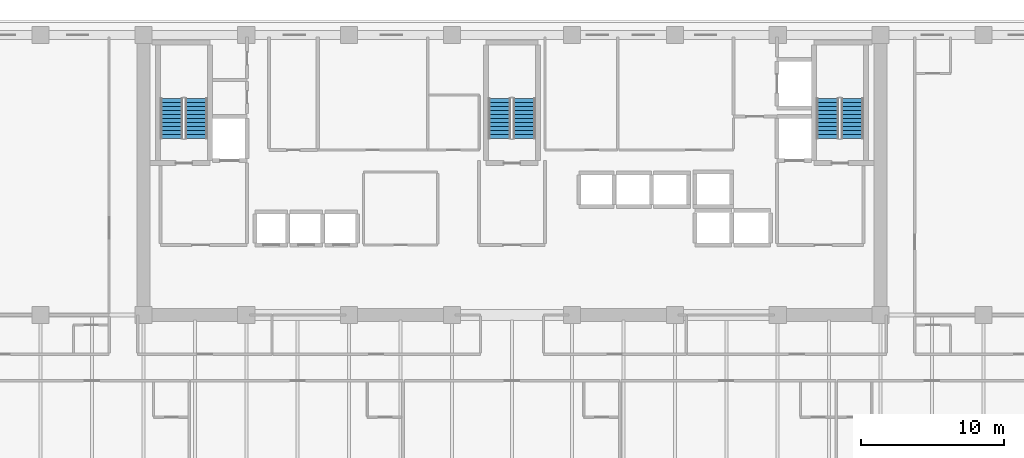
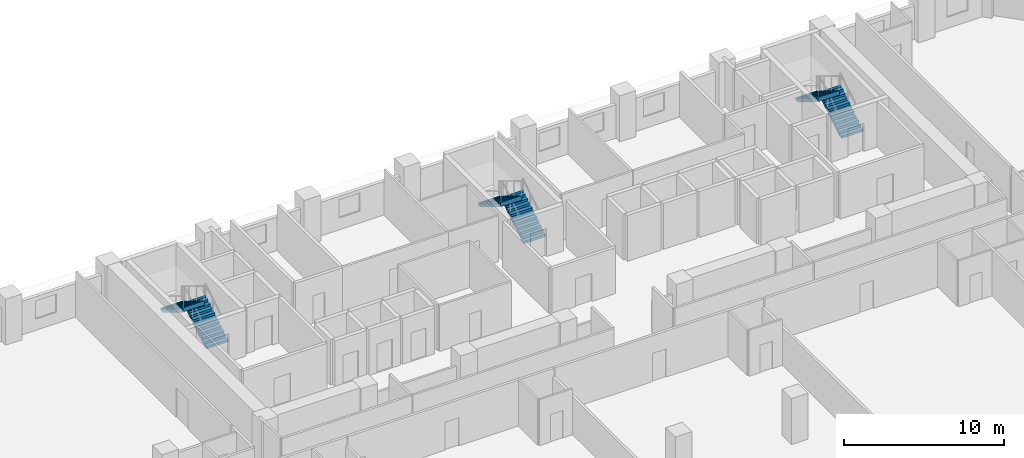
# One storey, part 10 of 14: 6 stair flights, 3 elements without a shape of their own.
"""IFC4 building model written with IfcOpenShell, lengths in metres."""

from ifc_helpers import new_model, si_unit, direction, frame, origin, place, context, subcontext, project, spatial, polyline, outline, extrude, material, type_object, element, aggregate, save


model = new_model("IFC4")

# Units and contexts
model_context = context("Model", 3, precision=1e-05, world=origin(), true_north=direction((0.0, 1.0)))
body_context = subcontext(model_context, "Body", "Model", "MODEL_VIEW")
ifc_project = project(units=[si_unit("LENGTHUNIT", "METRE"), si_unit("AREAUNIT", "SQUARE_METRE"), si_unit("VOLUMEUNIT", "CUBIC_METRE"), si_unit("PLANEANGLEUNIT", "RADIAN"), si_unit("MASSUNIT", "GRAM", prefix="KILO")], contexts=[model_context])

# Site, building, storey
site_placement = place(None, origin())
site = spatial("IfcSite", under=ifc_project, at=site_placement, CompositionType="ELEMENT")
building_placement = place(site_placement, origin())
building = spatial("IfcBuilding", under=site, at=building_placement, Name="Kaelvorn Grand Hotel", CompositionType="ELEMENT")
storey_placement = place(building_placement, frame((0.0, 0.0, 123.050048828125)))
storey = spatial("IfcBuildingStorey", under=building, at=storey_placement, Name="L29", CompositionType="ELEMENT", Elevation=123.050048828125)

# Stair, stair flights
ifc_material = material(Name="Concrete C40/50", Category="concrete")
stair_type = type_object("IfcStairType", Name="STR-DOG-1560-R06", PredefinedType="HALF_TURN_STAIR", material=ifc_material)
stair_1_placement = place(storey_placement, origin())
stair_1 = element("IfcStair", 1, at=stair_1_placement, inside=storey, type_object=stair_type, Name="L29 West Core Exit Stair ST1", PredefinedType="HALF_TURN_STAIR")
stair_flight_type = type_object("IfcStairFlightType", Name="FLG-DOG-1560-R06", PredefinedType="STRAIGHT", material=ifc_material)
stair_flight_1_placement = place(storey_placement, frame((19.89990234375, 41.760009765625, 0.0), z_axis=(0.0, 0.0, 1.0), x_axis=(0.0, 1.0, 0.0)))
stair_flight_1 = element("IfcStairFlight", 2, at=stair_flight_1_placement, type_object=stair_flight_type, Name="ST1 flight 1", NumberOfRisers=11, NumberOfTreads=10, PredefinedType="STRAIGHT", RiserHeight=0.170454545, TreadLength=0.28, context=body_context, shape_type="SweptSolid", body=[
    extrude(outline(polyline([(-0.0048828125, 0.0), (-0.0048828125, 0.0400390625), (0.0, 0.17041015625), (0.280029296875, 0.17041015625), (0.280029296875, 0.3408203125), (0.56005859375, 0.3408203125), (0.56005859375, 0.511474609375), (0.840087890625, 0.511474609375), (0.840087890625, 0.681884765625), (1.1201171875, 0.681884765625), (1.1201171875, 0.852294921875), (1.39990234375, 0.852294921875), (1.39990234375, 1.022705078125), (1.679931640625, 1.022705078125), (1.679931640625, 1.193115234375), (1.9599609375, 1.193115234375), (1.9599609375, 1.363525390625), (2.239990234375, 1.363525390625), (2.239990234375, 1.5341796875), (2.52001953125, 1.5341796875), (2.52001953125, 1.70458984375), (2.800048828125, 1.70458984375), (2.800048828125, 1.875), (2.804931640625, 1.875), (2.804931640625, 1.529052734375), (0.288330078125, 0.0), (-0.0048828125, 0.0)])), frame((0.0, 0.780029296875, 0.0), z_axis=(0.0, -1.0, 0.0), x_axis=(1.0, 0.0, 0.0)), (0.0, 0.0, 1.0), 1.56005859375),
])
stair_flight_2_placement = place(storey_placement, frame((18.179931640625, 44.56005859375, 1.875), z_axis=(0.0, 0.0, 1.0), x_axis=(0.0, -1.0, 0.0)))
stair_flight_2 = element("IfcStairFlight", 3, at=stair_flight_2_placement, type_object=stair_flight_type, Name="ST1 flight 2", NumberOfRisers=11, NumberOfTreads=10, PredefinedType="STRAIGHT", RiserHeight=0.170454545, TreadLength=0.28, context=body_context, shape_type="SweptSolid", body=[
    extrude(outline(polyline([(-0.0048828125, 0.0), (-0.0048828125, 0.0400390625), (0.0, 0.17041015625), (0.280029296875, 0.17041015625), (0.280029296875, 0.3408203125), (0.56005859375, 0.3408203125), (0.56005859375, 0.511474609375), (0.840087890625, 0.511474609375), (0.840087890625, 0.681884765625), (1.1201171875, 0.681884765625), (1.1201171875, 0.852294921875), (1.39990234375, 0.852294921875), (1.39990234375, 1.022705078125), (1.679931640625, 1.022705078125), (1.679931640625, 1.193115234375), (1.9599609375, 1.193115234375), (1.9599609375, 1.363525390625), (2.239990234375, 1.363525390625), (2.239990234375, 1.5341796875), (2.52001953125, 1.5341796875), (2.52001953125, 1.70458984375), (2.800048828125, 1.70458984375), (2.800048828125, 1.875), (2.804931640625, 1.875), (2.804931640625, 1.529052734375), (0.288330078125, 0.0), (-0.0048828125, 0.0)])), frame((0.0, 0.780029296875, 0.0), z_axis=(0.0, -1.0, 0.0), x_axis=(1.0, 0.0, 0.0)), (0.0, 0.0, 1.0), 1.56005859375),
])
aggregate(stair_1, [stair_flight_1, stair_flight_2])

stair_2_placement = place(storey_placement, origin())
stair_2 = element("IfcStair", 4, at=stair_2_placement, inside=storey, type_object=stair_type, Name="L29 Central Core Exit Stair ST2", PredefinedType="HALF_TURN_STAIR")
stair_flight_3_placement = place(storey_placement, frame((42.860107421875, 41.760009765625, 0.0), z_axis=(0.0, 0.0, 1.0), x_axis=(0.0, 1.0, 0.0)))
stair_flight_3 = element("IfcStairFlight", 5, at=stair_flight_3_placement, type_object=stair_flight_type, Name="ST2 flight 1", NumberOfRisers=11, NumberOfTreads=10, PredefinedType="STRAIGHT", RiserHeight=0.170454545, TreadLength=0.28, context=body_context, shape_type="SweptSolid", body=[
    extrude(outline(polyline([(-0.0048828125, 0.0), (-0.0048828125, 0.0400390625), (0.0, 0.17041015625), (0.280029296875, 0.17041015625), (0.280029296875, 0.3408203125), (0.56005859375, 0.3408203125), (0.56005859375, 0.511474609375), (0.840087890625, 0.511474609375), (0.840087890625, 0.681884765625), (1.1201171875, 0.681884765625), (1.1201171875, 0.852294921875), (1.39990234375, 0.852294921875), (1.39990234375, 1.022705078125), (1.679931640625, 1.022705078125), (1.679931640625, 1.193115234375), (1.9599609375, 1.193115234375), (1.9599609375, 1.363525390625), (2.239990234375, 1.363525390625), (2.239990234375, 1.5341796875), (2.52001953125, 1.5341796875), (2.52001953125, 1.70458984375), (2.800048828125, 1.70458984375), (2.800048828125, 1.875), (2.804931640625, 1.875), (2.804931640625, 1.529052734375), (0.288330078125, 0.0), (-0.0048828125, 0.0)])), frame((0.0, 0.780029296875, 0.0), z_axis=(0.0, -1.0, 0.0), x_axis=(1.0, 0.0, 0.0)), (0.0, 0.0, 1.0), 1.56005859375),
])
stair_flight_4_placement = place(storey_placement, frame((41.139892578125, 44.56005859375, 1.875), z_axis=(0.0, 0.0, 1.0), x_axis=(0.0, -1.0, 0.0)))
stair_flight_4 = element("IfcStairFlight", 6, at=stair_flight_4_placement, type_object=stair_flight_type, Name="ST2 flight 2", NumberOfRisers=11, NumberOfTreads=10, PredefinedType="STRAIGHT", RiserHeight=0.170454545, TreadLength=0.28, context=body_context, shape_type="SweptSolid", body=[
    extrude(outline(polyline([(-0.0048828125, 0.0), (-0.0048828125, 0.0400390625), (0.0, 0.17041015625), (0.280029296875, 0.17041015625), (0.280029296875, 0.3408203125), (0.56005859375, 0.3408203125), (0.56005859375, 0.511474609375), (0.840087890625, 0.511474609375), (0.840087890625, 0.681884765625), (1.1201171875, 0.681884765625), (1.1201171875, 0.852294921875), (1.39990234375, 0.852294921875), (1.39990234375, 1.022705078125), (1.679931640625, 1.022705078125), (1.679931640625, 1.193115234375), (1.9599609375, 1.193115234375), (1.9599609375, 1.363525390625), (2.239990234375, 1.363525390625), (2.239990234375, 1.5341796875), (2.52001953125, 1.5341796875), (2.52001953125, 1.70458984375), (2.800048828125, 1.70458984375), (2.800048828125, 1.875), (2.804931640625, 1.875), (2.804931640625, 1.529052734375), (0.288330078125, 0.0), (-0.0048828125, 0.0)])), frame((0.0, 0.780029296875, 0.0), z_axis=(0.0, -1.0, 0.0), x_axis=(1.0, 0.0, 0.0)), (0.0, 0.0, 1.0), 1.56005859375),
])
aggregate(stair_2, [stair_flight_3, stair_flight_4])

stair_3_placement = place(storey_placement, origin())
stair_3 = element("IfcStair", 7, at=stair_3_placement, inside=storey, type_object=stair_type, Name="L29 East Core Exit Stair ST3", PredefinedType="HALF_TURN_STAIR")
stair_flight_5_placement = place(storey_placement, frame((65.820068359375, 41.760009765625, 0.0), z_axis=(0.0, 0.0, 1.0), x_axis=(0.0, 1.0, 0.0)))
stair_flight_5 = element("IfcStairFlight", 8, at=stair_flight_5_placement, type_object=stair_flight_type, Name="ST3 flight 1", NumberOfRisers=11, NumberOfTreads=10, PredefinedType="STRAIGHT", RiserHeight=0.170454545, TreadLength=0.28, context=body_context, shape_type="SweptSolid", body=[
    extrude(outline(polyline([(-0.0048828125, 0.0), (-0.0048828125, 0.0400390625), (0.0, 0.17041015625), (0.280029296875, 0.17041015625), (0.280029296875, 0.3408203125), (0.56005859375, 0.3408203125), (0.56005859375, 0.511474609375), (0.840087890625, 0.511474609375), (0.840087890625, 0.681884765625), (1.1201171875, 0.681884765625), (1.1201171875, 0.852294921875), (1.39990234375, 0.852294921875), (1.39990234375, 1.022705078125), (1.679931640625, 1.022705078125), (1.679931640625, 1.193115234375), (1.9599609375, 1.193115234375), (1.9599609375, 1.363525390625), (2.239990234375, 1.363525390625), (2.239990234375, 1.5341796875), (2.52001953125, 1.5341796875), (2.52001953125, 1.70458984375), (2.800048828125, 1.70458984375), (2.800048828125, 1.875), (2.804931640625, 1.875), (2.804931640625, 1.529052734375), (0.288330078125, 0.0), (-0.0048828125, 0.0)])), frame((0.0, 0.780029296875, 0.0), z_axis=(0.0, -1.0, 0.0), x_axis=(1.0, 0.0, 0.0)), (0.0, 0.0, 1.0), 1.56005859375),
])
stair_flight_6_placement = place(storey_placement, frame((64.10009765625, 44.56005859375, 1.875), z_axis=(0.0, 0.0, 1.0), x_axis=(0.0, -1.0, 0.0)))
stair_flight_6 = element("IfcStairFlight", 9, at=stair_flight_6_placement, type_object=stair_flight_type, Name="ST3 flight 2", NumberOfRisers=11, NumberOfTreads=10, PredefinedType="STRAIGHT", RiserHeight=0.170454545, TreadLength=0.28, context=body_context, shape_type="SweptSolid", body=[
    extrude(outline(polyline([(-0.0048828125, 0.0), (-0.0048828125, 0.0400390625), (0.0, 0.17041015625), (0.280029296875, 0.17041015625), (0.280029296875, 0.3408203125), (0.56005859375, 0.3408203125), (0.56005859375, 0.511474609375), (0.840087890625, 0.511474609375), (0.840087890625, 0.681884765625), (1.1201171875, 0.681884765625), (1.1201171875, 0.852294921875), (1.39990234375, 0.852294921875), (1.39990234375, 1.022705078125), (1.679931640625, 1.022705078125), (1.679931640625, 1.193115234375), (1.9599609375, 1.193115234375), (1.9599609375, 1.363525390625), (2.239990234375, 1.363525390625), (2.239990234375, 1.5341796875), (2.52001953125, 1.5341796875), (2.52001953125, 1.70458984375), (2.800048828125, 1.70458984375), (2.800048828125, 1.875), (2.804931640625, 1.875), (2.804931640625, 1.529052734375), (0.288330078125, 0.0), (-0.0048828125, 0.0)])), frame((0.0, 0.780029296875, 0.0), z_axis=(0.0, -1.0, 0.0), x_axis=(1.0, 0.0, 0.0)), (0.0, 0.0, 1.0), 1.56005859375),
])
aggregate(stair_3, [stair_flight_5, stair_flight_6])

save(model, "model.ifc")
